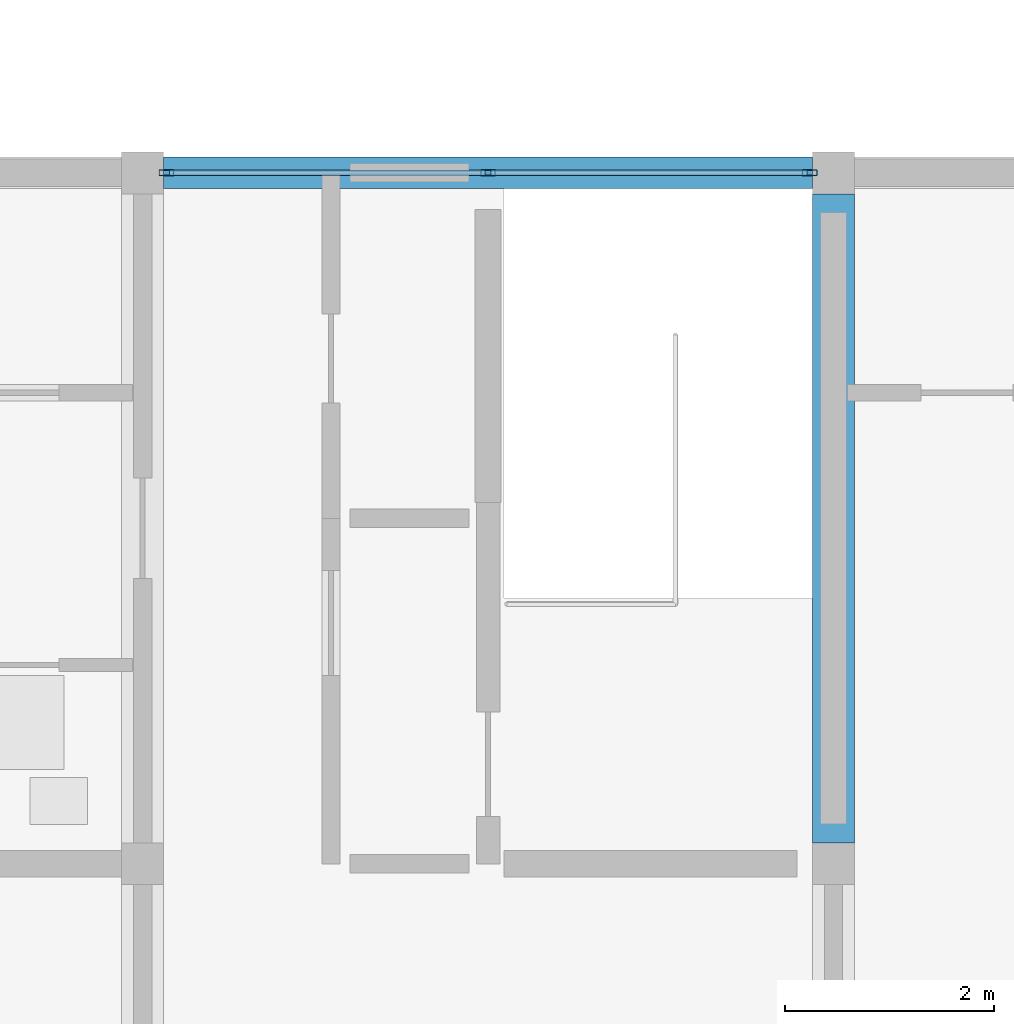
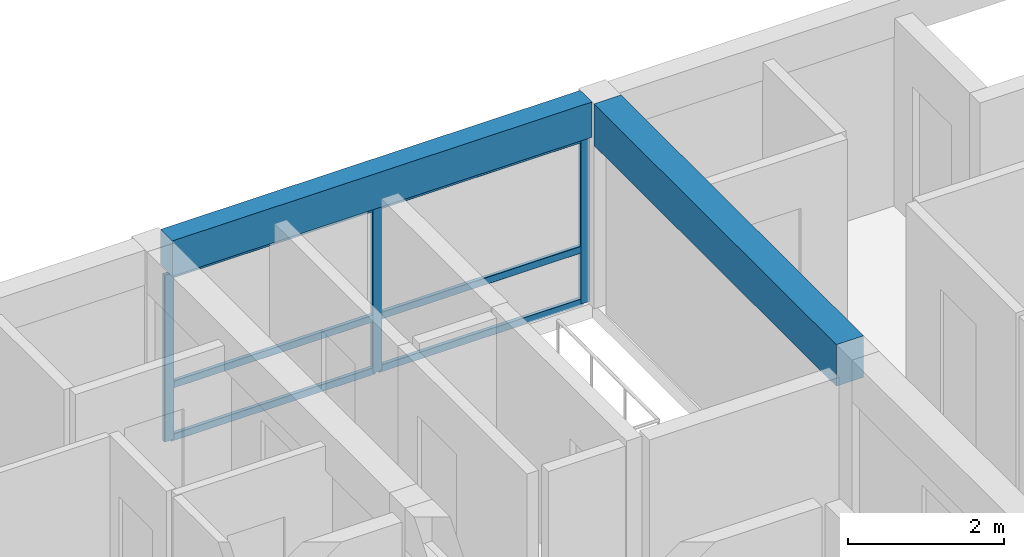
# One storey, part 7 of 34: 9 members, 2 beams, 1 element without a shape of its own.
"""IFC4 building model written with IfcOpenShell, lengths in metres."""

import ifcopenshell
import ifcopenshell.guid

model = None  # the IFC model being written
_history = None  # IfcOwnerHistory: only IFC2X3 demands one
_inside = {}  # id of a spatial element -> (the spatial element, [elements in it])
_under = {}  # id of a project, library or spatial element -> (it, [spatial elements below it])
_declared = {}  # id of a project -> (the project, [libraries it declares])
_typed = {}  # id of a type object -> (the type object, [elements of that type])
_made_of = {}  # id of a material, layer set ... -> (it, [elements and type objects made of it])


def new_model(schema):
    """Start an empty IFC model of exactly this schema.

    Asked for "IFC4X3", IfcOpenShell would pick the latest addendum, in which some entities
    have other attributes; the version numbers below select the first issue.
    IFC2X3 requires an IfcOwnerHistory on every rooted entity: one is made here for all.
    """
    global model, _history
    if schema == "IFC4X3":
        model = ifcopenshell.file(schema_version=(4, 3, 0, 0))
    else:
        model = ifcopenshell.file(schema=schema)
    _inside.clear()
    _under.clear()
    _declared.clear()
    _typed.clear()
    _made_of.clear()
    _history = None
    if model.schema == "IFC2X3":
        org = make("IfcOrganization", Name="unknown")
        user = make(
            "IfcPersonAndOrganization",
            ThePerson=make("IfcPerson", FamilyName="unknown"),
            TheOrganization=org,
        )
        app = make(
            "IfcApplication",
            ApplicationDeveloper=org,
            Version="unknown",
            ApplicationFullName="unknown",
            ApplicationIdentifier="unknown",
        )
        _history = make(
            "IfcOwnerHistory",
            OwningUser=user,
            OwningApplication=app,
            ChangeAction="ADDED",
            CreationDate=0,
        )
    return model


def make(cls, **values):
    """One entity of the class cls with the attributes given. An attribute that is None is left unset."""
    return model.create_entity(
        cls, **{name: value for name, value in values.items() if value is not None}
    )


def rooted(cls, **values):
    """An entity with a GlobalId (a new one), such as an element, a storey or a relation."""
    return make(cls, GlobalId=ifcopenshell.guid.new(), OwnerHistory=_history, **values)


def si_unit(unit_type, name, prefix=None):
    """IfcSIUnit, for example si_unit("LENGTHUNIT", "METRE", prefix="MILLI")."""
    return make("IfcSIUnit", UnitType=unit_type, Prefix=prefix, Name=name)


def assignment(units):
    """IfcUnitAssignment: the units of a project."""
    return None if units is None else make("IfcUnitAssignment", Units=units)


def point(xyz):
    """IfcCartesianPoint."""
    return None if xyz is None else make("IfcCartesianPoint", Coordinates=xyz)


def direction(xyz):
    """IfcDirection."""
    return None if xyz is None else make("IfcDirection", DirectionRatios=xyz)


def frame(location, z_axis=None, x_axis=None):
    """IfcAxis2Placement3D, a coordinate frame: its origin and axes. An axis left out is left unset."""
    return make(
        "IfcAxis2Placement3D",
        Location=point(location),
        Axis=direction(z_axis),
        RefDirection=direction(x_axis),
    )


def frame_2d(location, x_axis=None):
    """IfcAxis2Placement2D, a coordinate frame in the plane: its origin and x axis."""
    return make(
        "IfcAxis2Placement2D", Location=point(location), RefDirection=direction(x_axis)
    )


def origin():
    """The frame at (0, 0, 0) with its axes left unset."""
    return frame((0.0, 0.0, 0.0))


def origin_2d():
    """The frame at (0, 0) in the plane with its x axis left unset."""
    return frame_2d((0.0, 0.0))


def place(relative_to, where):
    """IfcLocalPlacement: puts the frame where relative to a parent placement (None: the world)."""
    return make(
        "IfcLocalPlacement", PlacementRelTo=relative_to, RelativePlacement=where
    )


def context(
    kind, dimensions, precision=None, world=None, true_north=None, identifier=None
):
    """IfcGeometricRepresentationContext, for example the 3D "Model" context."""
    return make(
        "IfcGeometricRepresentationContext",
        ContextIdentifier=identifier,
        ContextType=kind,
        CoordinateSpaceDimension=dimensions,
        Precision=precision,
        WorldCoordinateSystem=world,
        TrueNorth=true_north,
    )


def subcontext(parent, identifier, kind, view, scale=None):
    """IfcGeometricRepresentationSubContext, for example "Body" below "Model"."""
    return make(
        "IfcGeometricRepresentationSubContext",
        ContextIdentifier=identifier,
        ContextType=kind,
        ParentContext=parent,
        TargetScale=scale,
        TargetView=view,
    )


def project(units=None, contexts=None):
    """IfcProject with its units and contexts."""
    return rooted(
        "IfcProject",
        Name="project",
        RepresentationContexts=contexts,
        UnitsInContext=assignment(units),
    )


def spatial(cls, under=None, at=None, **own):
    """A site, building, storey or space (cls), placed at a placement, below another one or the project."""
    s = rooted(cls, ObjectPlacement=at, **own)
    if under is not None:
        _under.setdefault(under.id(), (under, []))[1].append(s)
    return s


def profile(cls, at=None, kind="AREA", **sizes):
    """A parametric profile (cls). Its sizes go by their IFC names, for example OverallWidth=200.0."""
    return make(cls, ProfileType=kind, Position=at, **sizes)


def rectangle(**sizes):
    """IfcRectangleProfileDef."""
    return profile("IfcRectangleProfileDef", **sizes)


def hollow_rectangle(**sizes):
    """IfcRectangleHollowProfileDef."""
    return profile("IfcRectangleHollowProfileDef", **sizes)


def extrude(swept, where, along, depth):
    """IfcExtrudedAreaSolid: the profile swept, set in the frame where, extruded along a direction by depth."""
    return make(
        "IfcExtrudedAreaSolid",
        SweptArea=swept,
        Position=where,
        ExtrudedDirection=direction(along),
        Depth=depth,
    )


def shape(context_of_items, identifier, shape_type, items):
    """IfcShapeRepresentation: the items that make up one representation, for example the "Body"."""
    return make(
        "IfcShapeRepresentation",
        ContextOfItems=context_of_items,
        RepresentationIdentifier=identifier,
        RepresentationType=shape_type,
        Items=items,
    )


def material(Name=None, Category=None):
    """IfcMaterial."""
    return make("IfcMaterial", Name=Name, Category=Category)


def material_profile(
    of_material, cross_section, Name=None, Category=None, Priority=None
):
    """IfcMaterialProfile: a cross section and its material."""
    return make(
        "IfcMaterialProfile",
        Name=Name,
        Material=of_material,
        Profile=cross_section,
        Priority=Priority,
        Category=Category,
    )


def profile_set(profiles, Name=None, composite=None):
    """IfcMaterialProfileSet."""
    return make(
        "IfcMaterialProfileSet",
        Name=Name,
        MaterialProfiles=profiles,
        CompositeProfile=composite,
    )


def made_of(thing, what):
    """Note that an element or type object is made of a material, layer set ...; save() writes the relation."""
    if what is not None:
        _made_of.setdefault(what.id(), (what, []))[1].append(thing)
    return thing


def type_object(cls, material=None, **own):
    """A type object (cls), such as IfcWallType, which elements share."""
    return made_of(rooted(cls, **own), material)


def element(
    cls,
    number,
    at=None,
    inside=None,
    cuts=None,
    type_object=None,
    material=None,
    context=None,
    identifier="Body",
    shape_type=None,
    held_by="IfcProductDefinitionShape",
    body=None,
    shapes=None,
    **own,
):
    """One element of the class cls, such as IfcWall. Its Tag is "e" and its number.

    at: its placement. inside: the storey or other place that contains it. cuts: it is an
    opening in that element (IfcRelVoidsElement). A single representation is given by context,
    identifier, shape_type and body (its items); several are given by shapes. held_by: the class
    of the entity that holds the representations. save() writes the other relations.
    """
    e = rooted(cls, Tag="e%d" % number, ObjectPlacement=at, **own)
    if body is not None:
        shapes = [shape(context, identifier, shape_type, body)]
    if shapes is not None:
        e.Representation = make(held_by, Representations=shapes)
    if inside is not None:
        _inside.setdefault(inside.id(), (inside, []))[1].append(e)
    if cuts is not None:
        rooted(
            "IfcRelVoidsElement", RelatingBuildingElement=cuts, RelatedOpeningElement=e
        )
    if type_object is not None:
        _typed.setdefault(type_object.id(), (type_object, []))[1].append(e)
    return made_of(e, material)


def aggregate(whole, parts):
    """IfcRelAggregates: a whole, such as a stair, and the parts it consists of."""
    return rooted("IfcRelAggregates", RelatingObject=whole, RelatedObjects=parts)


def save(model, path):
    """Write the relations noted so far, then the file.

    IfcRelAggregates (storeys below a building ...), IfcRelContainedInSpatialStructure (elements
    in a storey), IfcRelDefinesByType, IfcRelAssociatesMaterial and IfcRelDeclares: one each for
    every whole, place, type object, material and project.
    """
    for whole, parts in _under.values():
        aggregate(whole, parts)
    for where, things in _inside.values():
        rooted(
            "IfcRelContainedInSpatialStructure",
            RelatedElements=things,
            RelatingStructure=where,
        )
    for kind, things in _typed.values():
        rooted("IfcRelDefinesByType", RelatedObjects=things, RelatingType=kind)
    for what, things in _made_of.values():
        rooted("IfcRelAssociatesMaterial", RelatedObjects=things, RelatingMaterial=what)
    for by, libraries in _declared.values():
        rooted("IfcRelDeclares", RelatingContext=by, RelatedDefinitions=libraries)
    model.write(path)


model = new_model("IFC4")

# Units and contexts
model_context = context("Model", 3, precision=1e-05, world=origin(), true_north=direction((0.0, 1.0)))
body_context = subcontext(model_context, "Body", "Model", "MODEL_VIEW")
ifc_project = project(units=[si_unit("LENGTHUNIT", "METRE"), si_unit("AREAUNIT", "SQUARE_METRE"), si_unit("VOLUMEUNIT", "CUBIC_METRE"), si_unit("PLANEANGLEUNIT", "RADIAN"), si_unit("MASSUNIT", "GRAM", prefix="KILO")], contexts=[model_context])

# Site, building, storey
site_placement = place(None, origin())
site = spatial("IfcSite", under=ifc_project, at=site_placement, CompositionType="ELEMENT")
building_placement = place(site_placement, origin())
building = spatial("IfcBuilding", under=site, at=building_placement, Name="Kernevlak Ridge Housing Community", CompositionType="ELEMENT")
storey_placement = place(building_placement, frame((0.0, 0.0, 40.39990234375)))
storey = spatial("IfcBuildingStorey", under=building, at=storey_placement, Name="L12", CompositionType="ELEMENT", Elevation=40.39990234375)

# Beam
ifc_material_1 = material(Name="Concrete C35/45", Category="concrete")
ifc_material_profile_1 = material_profile(ifc_material_1, rectangle(XDim=0.39990234375, YDim=0.64990234375, at=origin_2d()), Name="RC 400x650")
ifc_profile_set_1 = profile_set([ifc_material_profile_1], Name="Concrete C35/45")
beam_type_1 = type_object("IfcBeamType", Name="B-03", PredefinedType="T_BEAM", material=ifc_profile_set_1)
beam_1_placement = place(storey_placement, frame((139.199951171875, 29.0, 2.875), z_axis=(0.0, 1.0, 0.0), x_axis=(-1.0, 0.0, 0.0)))
element("IfcBeam", 1, at=beam_1_placement, inside=storey, type_object=beam_type_1, Name="Beam B-03 L12 1269", PredefinedType="T_BEAM", context=body_context, shape_type="SweptSolid", body=[
    extrude(rectangle(XDim=0.39990234375, YDim=0.64990234375, at=origin_2d()), origin(), (0.0, 0.0, 1.0), 6.199951171875),
])

# Curtain wall, members
ifc_material_2 = material(Name="Aluminium EN AW-6060 anodised and laminated glass", Category="aluminium")
curtain_wall_type = type_object("IfcCurtainWallType", Name="CW-14", PredefinedType="NOTDEFINED", material=ifc_material_2)
curtain_wall_placement = place(storey_placement, origin())
curtain_wall = element("IfcCurtainWall", 2, at=curtain_wall_placement, inside=storey, type_object=curtain_wall_type, Name="Curtain wall CW-14 CW-L12-138", PredefinedType="NOTDEFINED")
ifc_material_3 = material(Name="Aluminium EN AW-6060 anodised", Category="aluminium")
ifc_material_profile_2 = material_profile(ifc_material_3, hollow_rectangle(XDim=0.054931640625, YDim=0.139892578125, WallThickness=0.00390625, InnerFilletRadius=0.001953125, OuterFilletRadius=0.00390625, at=origin_2d()), Name="ALU 55x140x4")
ifc_profile_set_2 = profile_set([ifc_material_profile_2], Name="Aluminium EN AW-6060 anodised")
member_type_1 = type_object("IfcMemberType", Name="MU-01", PredefinedType="MULLION", material=ifc_profile_set_2)
member_1_placement = place(storey_placement, frame((132.827392578125, 35.39990234375, 0.0), z_axis=(0.0, 0.0, 1.0), x_axis=(0.0, 1.0, 0.0)))
member_1 = element("IfcMember", 3, at=member_1_placement, type_object=member_type_1, Name="CW-14 mullion 1", PredefinedType="MULLION", context=body_context, shape_type="SweptSolid", body=[
    extrude(hollow_rectangle(XDim=0.054931640625, YDim=0.139892578125, WallThickness=0.00390625, InnerFilletRadius=0.001953125, OuterFilletRadius=0.00390625, at=origin_2d()), origin(), (0.0, 0.0, 1.0), 2.60009765625),
])
member_2_placement = place(storey_placement, frame((135.89990234375, 35.39990234375, 0.0), z_axis=(0.0, 0.0, 1.0), x_axis=(0.0, 1.0, 0.0)))
member_2 = element("IfcMember", 4, at=member_2_placement, type_object=member_type_1, Name="CW-14 mullion 2", PredefinedType="MULLION", context=body_context, shape_type="SweptSolid", body=[
    extrude(hollow_rectangle(XDim=0.054931640625, YDim=0.139892578125, WallThickness=0.00390625, InnerFilletRadius=0.001953125, OuterFilletRadius=0.00390625, at=origin_2d()), origin(), (0.0, 0.0, 1.0), 2.60009765625),
])
member_3_placement = place(storey_placement, frame((138.972412109375, 35.39990234375, 0.0), z_axis=(0.0, 0.0, 1.0), x_axis=(0.0, 1.0, 0.0)))
member_3 = element("IfcMember", 5, at=member_3_placement, type_object=member_type_1, Name="CW-14 mullion 3", PredefinedType="MULLION", context=body_context, shape_type="SweptSolid", body=[
    extrude(hollow_rectangle(XDim=0.054931640625, YDim=0.139892578125, WallThickness=0.00390625, InnerFilletRadius=0.001953125, OuterFilletRadius=0.00390625, at=origin_2d()), origin(), (0.0, 0.0, 1.0), 2.60009765625),
])

# Beam
ifc_material_profile_3 = material_profile(ifc_material_1, rectangle(XDim=0.300048828125, YDim=0.550048828125, at=origin_2d()), Name="RC 300x550")
ifc_profile_set_3 = profile_set([ifc_material_profile_3], Name="Concrete C35/45")
beam_type_2 = type_object("IfcBeamType", Name="SP-01", PredefinedType="SPANDREL", material=ifc_profile_set_3)
beam_2_placement = place(storey_placement, frame((132.800048828125, 35.39990234375, 2.925048828125), z_axis=(1.0, 0.0, 0.0), x_axis=(0.0, 1.0, 0.0)))
element("IfcBeam", 6, at=beam_2_placement, inside=storey, type_object=beam_type_2, Name="Beam SP-01 L12 1277", PredefinedType="SPANDREL", context=body_context, shape_type="SweptSolid", body=[
    extrude(rectangle(XDim=0.300048828125, YDim=0.550048828125, at=origin_2d()), origin(), (0.0, 0.0, 1.0), 6.199951171875),
])

# Member
ifc_material_profile_4 = material_profile(ifc_material_3, hollow_rectangle(XDim=0.054931640625, YDim=0.110107421875, WallThickness=0.00390625, InnerFilletRadius=0.001953125, OuterFilletRadius=0.00390625, at=origin_2d()), Name="ALU 55x110x4")
ifc_profile_set_4 = profile_set([ifc_material_profile_4], Name="Aluminium EN AW-6060 anodised")
member_type_2 = type_object("IfcMemberType", Name="TM-01", PredefinedType="USERDEFINED", material=ifc_profile_set_4)
member_4_placement = place(storey_placement, frame((132.85498046875, 35.39990234375, 0.027587890625), z_axis=(1.0, 0.0, 0.0), x_axis=(0.0, 1.0, 0.0)))
member_4 = element("IfcMember", 7, at=member_4_placement, type_object=member_type_2, Name="CW-14 transom 1.1", ObjectType="TRANSOM", PredefinedType="USERDEFINED", context=body_context, shape_type="SweptSolid", body=[
    extrude(hollow_rectangle(XDim=0.054931640625, YDim=0.110107421875, WallThickness=0.00390625, InnerFilletRadius=0.001953125, OuterFilletRadius=0.00390625, at=origin_2d()), origin(), (0.0, 0.0, 1.0), 3.017578125),
])

member_5_placement = place(storey_placement, frame((132.85498046875, 35.39990234375, 0.85009765625), z_axis=(1.0, 0.0, 0.0), x_axis=(0.0, 1.0, 0.0)))
member_5 = element("IfcMember", 8, at=member_5_placement, type_object=member_type_2, Name="CW-14 transom 1.2", ObjectType="TRANSOM", PredefinedType="USERDEFINED", context=body_context, shape_type="SweptSolid", body=[
    extrude(hollow_rectangle(XDim=0.054931640625, YDim=0.110107421875, WallThickness=0.00390625, InnerFilletRadius=0.001953125, OuterFilletRadius=0.00390625, at=origin_2d()), origin(), (0.0, 0.0, 1.0), 3.017578125),
])

member_6_placement = place(storey_placement, frame((132.85498046875, 35.39990234375, 2.572509765625), z_axis=(1.0, 0.0, 0.0), x_axis=(0.0, 1.0, 0.0)))
member_6 = element("IfcMember", 9, at=member_6_placement, type_object=member_type_2, Name="CW-14 transom 1.3", ObjectType="TRANSOM", PredefinedType="USERDEFINED", context=body_context, shape_type="SweptSolid", body=[
    extrude(hollow_rectangle(XDim=0.054931640625, YDim=0.110107421875, WallThickness=0.00390625, InnerFilletRadius=0.001953125, OuterFilletRadius=0.00390625, at=origin_2d()), origin(), (0.0, 0.0, 1.0), 3.017578125),
])

member_7_placement = place(storey_placement, frame((135.927490234375, 35.39990234375, 0.027587890625), z_axis=(1.0, 0.0, 0.0), x_axis=(0.0, 1.0, 0.0)))
member_7 = element("IfcMember", 10, at=member_7_placement, type_object=member_type_2, Name="CW-14 transom 2.1", ObjectType="TRANSOM", PredefinedType="USERDEFINED", context=body_context, shape_type="SweptSolid", body=[
    extrude(hollow_rectangle(XDim=0.054931640625, YDim=0.110107421875, WallThickness=0.00390625, InnerFilletRadius=0.001953125, OuterFilletRadius=0.00390625, at=origin_2d()), origin(), (0.0, 0.0, 1.0), 3.017578125),
])

member_8_placement = place(storey_placement, frame((135.927490234375, 35.39990234375, 0.85009765625), z_axis=(1.0, 0.0, 0.0), x_axis=(0.0, 1.0, 0.0)))
member_8 = element("IfcMember", 11, at=member_8_placement, type_object=member_type_2, Name="CW-14 transom 2.2", ObjectType="TRANSOM", PredefinedType="USERDEFINED", context=body_context, shape_type="SweptSolid", body=[
    extrude(hollow_rectangle(XDim=0.054931640625, YDim=0.110107421875, WallThickness=0.00390625, InnerFilletRadius=0.001953125, OuterFilletRadius=0.00390625, at=origin_2d()), origin(), (0.0, 0.0, 1.0), 3.017578125),
])

member_9_placement = place(storey_placement, frame((135.927490234375, 35.39990234375, 2.572509765625), z_axis=(1.0, 0.0, 0.0), x_axis=(0.0, 1.0, 0.0)))
member_9 = element("IfcMember", 12, at=member_9_placement, type_object=member_type_2, Name="CW-14 transom 2.3", ObjectType="TRANSOM", PredefinedType="USERDEFINED", context=body_context, shape_type="SweptSolid", body=[
    extrude(hollow_rectangle(XDim=0.054931640625, YDim=0.110107421875, WallThickness=0.00390625, InnerFilletRadius=0.001953125, OuterFilletRadius=0.00390625, at=origin_2d()), origin(), (0.0, 0.0, 1.0), 3.017578125),
])

aggregate(curtain_wall, [member_1, member_2, member_3, member_4, member_5, member_6, member_7, member_8, member_9])

save(model, "model.ifc")
